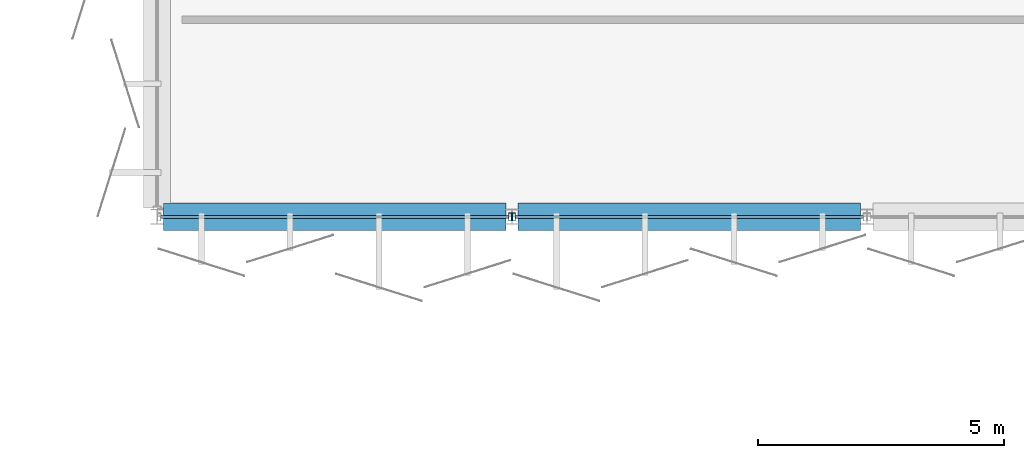
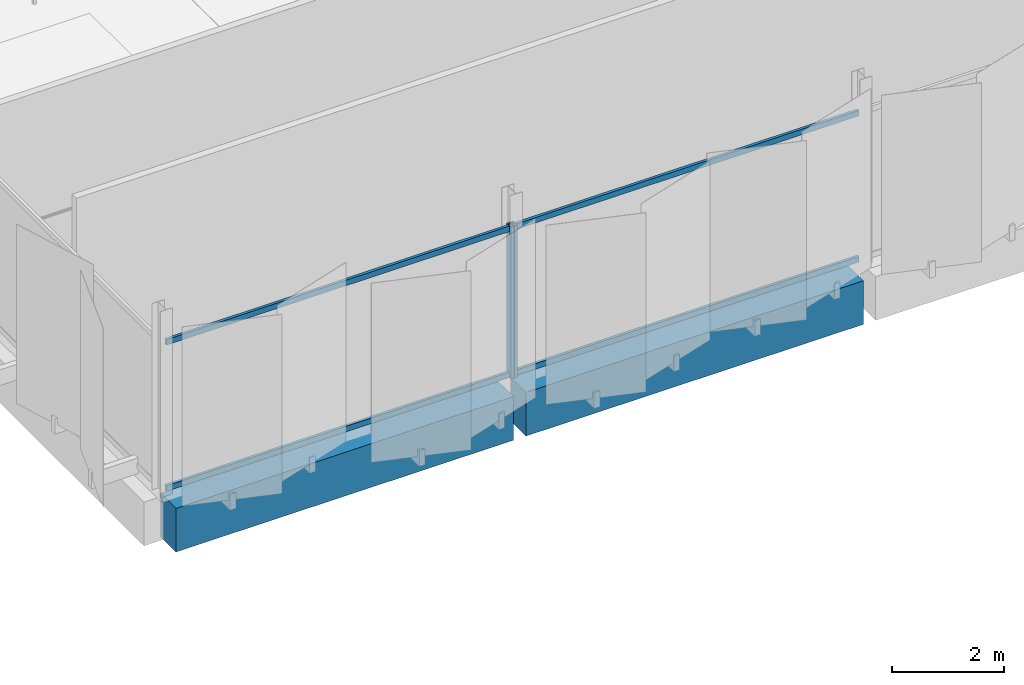
# One storey, part 23 of 77: 6 members, 2 beams, 2 elements without a shape of their own.
"""IFC4 building model written with IfcOpenShell, lengths in metres."""

import ifcopenshell
import ifcopenshell.guid

model = None  # the IFC model being written
_history = None  # IfcOwnerHistory: only IFC2X3 demands one
_inside = {}  # id of a spatial element -> (the spatial element, [elements in it])
_under = {}  # id of a project, library or spatial element -> (it, [spatial elements below it])
_declared = {}  # id of a project -> (the project, [libraries it declares])
_typed = {}  # id of a type object -> (the type object, [elements of that type])
_made_of = {}  # id of a material, layer set ... -> (it, [elements and type objects made of it])


def new_model(schema):
    """Start an empty IFC model of exactly this schema.

    Asked for "IFC4X3", IfcOpenShell would pick the latest addendum, in which some entities
    have other attributes; the version numbers below select the first issue.
    IFC2X3 requires an IfcOwnerHistory on every rooted entity: one is made here for all.
    """
    global model, _history
    if schema == "IFC4X3":
        model = ifcopenshell.file(schema_version=(4, 3, 0, 0))
    else:
        model = ifcopenshell.file(schema=schema)
    _inside.clear()
    _under.clear()
    _declared.clear()
    _typed.clear()
    _made_of.clear()
    _history = None
    if model.schema == "IFC2X3":
        org = make("IfcOrganization", Name="unknown")
        user = make(
            "IfcPersonAndOrganization",
            ThePerson=make("IfcPerson", FamilyName="unknown"),
            TheOrganization=org,
        )
        app = make(
            "IfcApplication",
            ApplicationDeveloper=org,
            Version="unknown",
            ApplicationFullName="unknown",
            ApplicationIdentifier="unknown",
        )
        _history = make(
            "IfcOwnerHistory",
            OwningUser=user,
            OwningApplication=app,
            ChangeAction="ADDED",
            CreationDate=0,
        )
    return model


def make(cls, **values):
    """One entity of the class cls with the attributes given. An attribute that is None is left unset."""
    return model.create_entity(
        cls, **{name: value for name, value in values.items() if value is not None}
    )


def rooted(cls, **values):
    """An entity with a GlobalId (a new one), such as an element, a storey or a relation."""
    return make(cls, GlobalId=ifcopenshell.guid.new(), OwnerHistory=_history, **values)


def si_unit(unit_type, name, prefix=None):
    """IfcSIUnit, for example si_unit("LENGTHUNIT", "METRE", prefix="MILLI")."""
    return make("IfcSIUnit", UnitType=unit_type, Prefix=prefix, Name=name)


def assignment(units):
    """IfcUnitAssignment: the units of a project."""
    return None if units is None else make("IfcUnitAssignment", Units=units)


def point(xyz):
    """IfcCartesianPoint."""
    return None if xyz is None else make("IfcCartesianPoint", Coordinates=xyz)


def direction(xyz):
    """IfcDirection."""
    return None if xyz is None else make("IfcDirection", DirectionRatios=xyz)


def frame(location, z_axis=None, x_axis=None):
    """IfcAxis2Placement3D, a coordinate frame: its origin and axes. An axis left out is left unset."""
    return make(
        "IfcAxis2Placement3D",
        Location=point(location),
        Axis=direction(z_axis),
        RefDirection=direction(x_axis),
    )


def frame_2d(location, x_axis=None):
    """IfcAxis2Placement2D, a coordinate frame in the plane: its origin and x axis."""
    return make(
        "IfcAxis2Placement2D", Location=point(location), RefDirection=direction(x_axis)
    )


def origin():
    """The frame at (0, 0, 0) with its axes left unset."""
    return frame((0.0, 0.0, 0.0))


def origin_2d():
    """The frame at (0, 0) in the plane with its x axis left unset."""
    return frame_2d((0.0, 0.0))


def place(relative_to, where):
    """IfcLocalPlacement: puts the frame where relative to a parent placement (None: the world)."""
    return make(
        "IfcLocalPlacement", PlacementRelTo=relative_to, RelativePlacement=where
    )


def context(
    kind, dimensions, precision=None, world=None, true_north=None, identifier=None
):
    """IfcGeometricRepresentationContext, for example the 3D "Model" context."""
    return make(
        "IfcGeometricRepresentationContext",
        ContextIdentifier=identifier,
        ContextType=kind,
        CoordinateSpaceDimension=dimensions,
        Precision=precision,
        WorldCoordinateSystem=world,
        TrueNorth=true_north,
    )


def subcontext(parent, identifier, kind, view, scale=None):
    """IfcGeometricRepresentationSubContext, for example "Body" below "Model"."""
    return make(
        "IfcGeometricRepresentationSubContext",
        ContextIdentifier=identifier,
        ContextType=kind,
        ParentContext=parent,
        TargetScale=scale,
        TargetView=view,
    )


def project(units=None, contexts=None):
    """IfcProject with its units and contexts."""
    return rooted(
        "IfcProject",
        Name="project",
        RepresentationContexts=contexts,
        UnitsInContext=assignment(units),
    )


def spatial(cls, under=None, at=None, **own):
    """A site, building, storey or space (cls), placed at a placement, below another one or the project."""
    s = rooted(cls, ObjectPlacement=at, **own)
    if under is not None:
        _under.setdefault(under.id(), (under, []))[1].append(s)
    return s


def profile(cls, at=None, kind="AREA", **sizes):
    """A parametric profile (cls). Its sizes go by their IFC names, for example OverallWidth=200.0."""
    return make(cls, ProfileType=kind, Position=at, **sizes)


def rectangle(**sizes):
    """IfcRectangleProfileDef."""
    return profile("IfcRectangleProfileDef", **sizes)


def hollow_rectangle(**sizes):
    """IfcRectangleHollowProfileDef."""
    return profile("IfcRectangleHollowProfileDef", **sizes)


def extrude(swept, where, along, depth):
    """IfcExtrudedAreaSolid: the profile swept, set in the frame where, extruded along a direction by depth."""
    return make(
        "IfcExtrudedAreaSolid",
        SweptArea=swept,
        Position=where,
        ExtrudedDirection=direction(along),
        Depth=depth,
    )


def shape(context_of_items, identifier, shape_type, items):
    """IfcShapeRepresentation: the items that make up one representation, for example the "Body"."""
    return make(
        "IfcShapeRepresentation",
        ContextOfItems=context_of_items,
        RepresentationIdentifier=identifier,
        RepresentationType=shape_type,
        Items=items,
    )


def material(Name=None, Category=None):
    """IfcMaterial."""
    return make("IfcMaterial", Name=Name, Category=Category)


def layer(
    of_material, thickness, ventilated=None, Name=None, Category=None, Priority=None
):
    """IfcMaterialLayer: one layer of a wall or slab, of a material (None: an air gap)."""
    return make(
        "IfcMaterialLayer",
        Material=of_material,
        LayerThickness=thickness,
        IsVentilated=ventilated,
        Name=Name,
        Category=Category,
        Priority=Priority,
    )


def layer_set(layers, Name=None):
    """IfcMaterialLayerSet."""
    return make("IfcMaterialLayerSet", MaterialLayers=layers, LayerSetName=Name)


def material_profile(
    of_material, cross_section, Name=None, Category=None, Priority=None
):
    """IfcMaterialProfile: a cross section and its material."""
    return make(
        "IfcMaterialProfile",
        Name=Name,
        Material=of_material,
        Profile=cross_section,
        Priority=Priority,
        Category=Category,
    )


def profile_set(profiles, Name=None, composite=None):
    """IfcMaterialProfileSet."""
    return make(
        "IfcMaterialProfileSet",
        Name=Name,
        MaterialProfiles=profiles,
        CompositeProfile=composite,
    )


def made_of(thing, what):
    """Note that an element or type object is made of a material, layer set ...; save() writes the relation."""
    if what is not None:
        _made_of.setdefault(what.id(), (what, []))[1].append(thing)
    return thing


def type_object(cls, material=None, **own):
    """A type object (cls), such as IfcWallType, which elements share."""
    return made_of(rooted(cls, **own), material)


def element(
    cls,
    number,
    at=None,
    inside=None,
    cuts=None,
    type_object=None,
    material=None,
    context=None,
    identifier="Body",
    shape_type=None,
    held_by="IfcProductDefinitionShape",
    body=None,
    shapes=None,
    **own,
):
    """One element of the class cls, such as IfcWall. Its Tag is "e" and its number.

    at: its placement. inside: the storey or other place that contains it. cuts: it is an
    opening in that element (IfcRelVoidsElement). A single representation is given by context,
    identifier, shape_type and body (its items); several are given by shapes. held_by: the class
    of the entity that holds the representations. save() writes the other relations.
    """
    e = rooted(cls, Tag="e%d" % number, ObjectPlacement=at, **own)
    if body is not None:
        shapes = [shape(context, identifier, shape_type, body)]
    if shapes is not None:
        e.Representation = make(held_by, Representations=shapes)
    if inside is not None:
        _inside.setdefault(inside.id(), (inside, []))[1].append(e)
    if cuts is not None:
        rooted(
            "IfcRelVoidsElement", RelatingBuildingElement=cuts, RelatedOpeningElement=e
        )
    if type_object is not None:
        _typed.setdefault(type_object.id(), (type_object, []))[1].append(e)
    return made_of(e, material)


def aggregate(whole, parts):
    """IfcRelAggregates: a whole, such as a stair, and the parts it consists of."""
    return rooted("IfcRelAggregates", RelatingObject=whole, RelatedObjects=parts)


def save(model, path):
    """Write the relations noted so far, then the file.

    IfcRelAggregates (storeys below a building ...), IfcRelContainedInSpatialStructure (elements
    in a storey), IfcRelDefinesByType, IfcRelAssociatesMaterial and IfcRelDeclares: one each for
    every whole, place, type object, material and project.
    """
    for whole, parts in _under.values():
        aggregate(whole, parts)
    for where, things in _inside.values():
        rooted(
            "IfcRelContainedInSpatialStructure",
            RelatedElements=things,
            RelatingStructure=where,
        )
    for kind, things in _typed.values():
        rooted("IfcRelDefinesByType", RelatedObjects=things, RelatingType=kind)
    for what, things in _made_of.values():
        rooted("IfcRelAssociatesMaterial", RelatedObjects=things, RelatingMaterial=what)
    for by, libraries in _declared.values():
        rooted("IfcRelDeclares", RelatingContext=by, RelatedDefinitions=libraries)
    model.write(path)


model = new_model("IFC4")

# Units and contexts
model_context = context("Model", 3, precision=1e-05, world=origin(), true_north=direction((0.0, 1.0)))
body_context = subcontext(model_context, "Body", "Model", "MODEL_VIEW")
ifc_project = project(units=[si_unit("LENGTHUNIT", "METRE"), si_unit("AREAUNIT", "SQUARE_METRE"), si_unit("VOLUMEUNIT", "CUBIC_METRE"), si_unit("PLANEANGLEUNIT", "RADIAN"), si_unit("MASSUNIT", "GRAM", prefix="KILO")], contexts=[model_context])

# Site, building, storey
site_placement = place(None, origin())
site = spatial("IfcSite", under=ifc_project, at=site_placement, CompositionType="ELEMENT")
building_placement = place(site_placement, origin())
building = spatial("IfcBuilding", under=site, at=building_placement, Name="Kangsadwip Square Police Headquarters", CompositionType="ELEMENT")
storey_placement = place(building_placement, frame((0.0, 0.0, 17.550048828125)))
storey = spatial("IfcBuildingStorey", under=building, at=storey_placement, Name="L04", CompositionType="ELEMENT", Elevation=17.550048828125)

# Curtain wall, member
ifc_material_1 = material(Name="Thermally broken anodised aluminium AW-6063-T6", Category="aluminium")
ifc_layer = layer(ifc_material_1, 0.159912109375)
ifc_layer_set = layer_set([ifc_layer], Name="Thermally broken anodised aluminium AW-6063-T6")
curtain_wall_type = type_object("IfcCurtainWallType", Name="CourtScreen7180x3300", PredefinedType="USERDEFINED", material=ifc_layer_set)
curtain_wall_1_placement = place(storey_placement, origin())
curtain_wall_1 = element("IfcCurtainWall", 1, at=curtain_wall_1_placement, inside=storey, type_object=curtain_wall_type, Name="Curtain Wall CW-L04-0936-0936", ObjectType="GLAZED_SCREEN", PredefinedType="USERDEFINED")
ifc_material_2 = material(Name="Thermally broken anodised aluminium AW-6063-T6", Category="aluminium")
ifc_material_profile_1 = material_profile(ifc_material_2, hollow_rectangle(XDim=0.06005859375, YDim=0.159912109375, WallThickness=0.00390625, at=origin_2d()), Name="CWM 160X60X4")
ifc_profile_set_1 = profile_set([ifc_material_profile_1], Name="Thermally broken anodised aluminium AW-6063-T6")
member_type_1 = type_object("IfcMemberType", Name="CwMullion135x60", PredefinedType="MULLION", material=ifc_profile_set_1)
member_1_placement = place(storey_placement, frame((100.760009765625, 93.60009765625, 0.0), z_axis=(0.0, 0.0, 1.0), x_axis=(1.0, 0.0, 0.0)))
member_1 = element("IfcMember", 2, at=member_1_placement, type_object=member_type_1, Name="CW-42 mullion 2", PredefinedType="MULLION", context=body_context, shape_type="SweptSolid", body=[
    extrude(hollow_rectangle(XDim=0.06005859375, YDim=0.159912109375, WallThickness=0.00390625, at=origin_2d()), origin(), (0.0, 0.0, 1.0), 3.300048828125),
])

curtain_wall_2_placement = place(storey_placement, origin())
curtain_wall_2 = element("IfcCurtainWall", 3, at=curtain_wall_2_placement, inside=storey, type_object=curtain_wall_type, Name="Curtain Wall CW-L04-1008-0936", ObjectType="GLAZED_SCREEN", PredefinedType="USERDEFINED")
member_2_placement = place(storey_placement, frame((100.840087890625, 93.60009765625, 0.0), z_axis=(0.0, 0.0, 1.0), x_axis=(1.0, 0.0, 0.0)))
member_2 = element("IfcMember", 4, at=member_2_placement, type_object=member_type_1, Name="CW-42 mullion 1", PredefinedType="MULLION", context=body_context, shape_type="SweptSolid", body=[
    extrude(hollow_rectangle(XDim=0.06005859375, YDim=0.159912109375, WallThickness=0.00390625, at=origin_2d()), origin(), (0.0, 0.0, 1.0), 3.300048828125),
])

# Member
ifc_material_3 = material(Name="Thermally broken anodised aluminium AW-6063-T6", Category="aluminium")
ifc_material_profile_2 = material_profile(ifc_material_3, hollow_rectangle(XDim=0.06005859375, YDim=0.1201171875, WallThickness=0.00390625, at=origin_2d()), Name="CWT 120X60X4")
ifc_profile_set_2 = profile_set([ifc_material_profile_2], Name="Thermally broken anodised aluminium AW-6063-T6")
member_type_2 = type_object("IfcMemberType", Name="CwTransom120x55", PredefinedType="USERDEFINED", material=ifc_profile_set_2)
member_3_placement = place(storey_placement, frame((93.669921875, 93.60009765625, 0.06005859375), z_axis=(1.0, 0.0, 0.0), x_axis=(0.0, 1.0, 0.0)))
member_3 = element("IfcMember", 5, at=member_3_placement, type_object=member_type_2, Name="CW-42 transom 1.1", ObjectType="TRANSOM", PredefinedType="USERDEFINED", context=body_context, shape_type="SweptSolid", body=[
    extrude(hollow_rectangle(XDim=0.06005859375, YDim=0.1201171875, WallThickness=0.00390625, at=origin_2d()), origin(), (0.0, 0.0, 1.0), 7.06005859375),
])

member_4_placement = place(storey_placement, frame((93.669921875, 93.60009765625, 3.239990234375), z_axis=(1.0, 0.0, 0.0), x_axis=(0.0, 1.0, 0.0)))
member_4 = element("IfcMember", 6, at=member_4_placement, type_object=member_type_2, Name="CW-42 transom 1.2", ObjectType="TRANSOM", PredefinedType="USERDEFINED", context=body_context, shape_type="SweptSolid", body=[
    extrude(hollow_rectangle(XDim=0.06005859375, YDim=0.1201171875, WallThickness=0.00390625, at=origin_2d()), origin(), (0.0, 0.0, 1.0), 7.06005859375),
])

aggregate(curtain_wall_1, [member_1, member_3, member_4])

member_5_placement = place(storey_placement, frame((100.8701171875, 93.60009765625, 0.06005859375), z_axis=(1.0, 0.0, 0.0), x_axis=(0.0, 1.0, 0.0)))
member_5 = element("IfcMember", 7, at=member_5_placement, type_object=member_type_2, Name="CW-42 transom 1.1", ObjectType="TRANSOM", PredefinedType="USERDEFINED", context=body_context, shape_type="SweptSolid", body=[
    extrude(hollow_rectangle(XDim=0.06005859375, YDim=0.1201171875, WallThickness=0.00390625, at=origin_2d()), origin(), (0.0, 0.0, 1.0), 7.059814453125),
])

member_6_placement = place(storey_placement, frame((100.8701171875, 93.60009765625, 3.239990234375), z_axis=(1.0, 0.0, 0.0), x_axis=(0.0, 1.0, 0.0)))
member_6 = element("IfcMember", 8, at=member_6_placement, type_object=member_type_2, Name="CW-42 transom 1.2", ObjectType="TRANSOM", PredefinedType="USERDEFINED", context=body_context, shape_type="SweptSolid", body=[
    extrude(hollow_rectangle(XDim=0.06005859375, YDim=0.1201171875, WallThickness=0.00390625, at=origin_2d()), origin(), (0.0, 0.0, 1.0), 7.059814453125),
])

aggregate(curtain_wall_2, [member_2, member_5, member_6])

# Beams
ifc_material_4 = material(Name="Concrete M40 (40 MPa)", Category="concrete")
ifc_material_profile_3 = material_profile(ifc_material_4, rectangle(XDim=0.550048828125, YDim=0.949951171875, at=origin_2d()), Name="RC TG 950X550")
ifc_profile_set_3 = profile_set([ifc_material_profile_3], Name="Concrete M40 (40 MPa)")
beam_type = type_object("IfcBeamType", Name="RcTransfer950x550", PredefinedType="USERDEFINED", material=ifc_profile_set_3)
for number, where, z_axis, x_axis, name in (
    (9, (93.72509765625, 93.60009765625, -0.715087890625), (1.0, 0.0, 0.0), (0.0, 1.0, 0.0), "Beam BM-L04-X-13-13"),
    (10, (100.925048828125, 93.60009765625, -0.715087890625), (1.0, 0.0, 0.0), (0.0, 1.0, 0.0), "Beam BM-L04-X-14-13"),
):
    element("IfcBeam", number, at=place(storey_placement, frame(where, z_axis=z_axis, x_axis=x_axis)), inside=storey, type_object=beam_type, Name=name, ObjectType="TRANSFER_GIRDER", PredefinedType="USERDEFINED", context=body_context, shape_type="SweptSolid", body=[
        extrude(rectangle(XDim=0.550048828125, YDim=0.949951171875, at=origin_2d()), origin(), (0.0, 0.0, 1.0), 6.949951171875),
    ])

save(model, "model.ifc")
